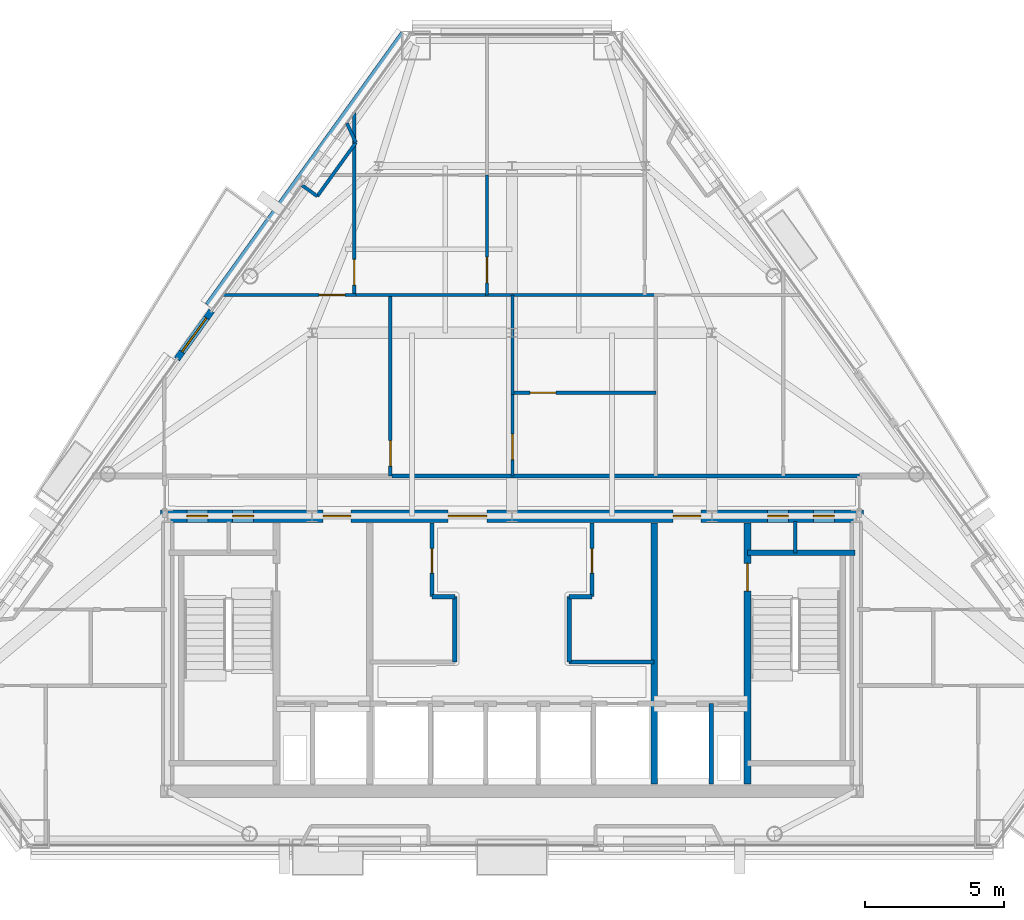
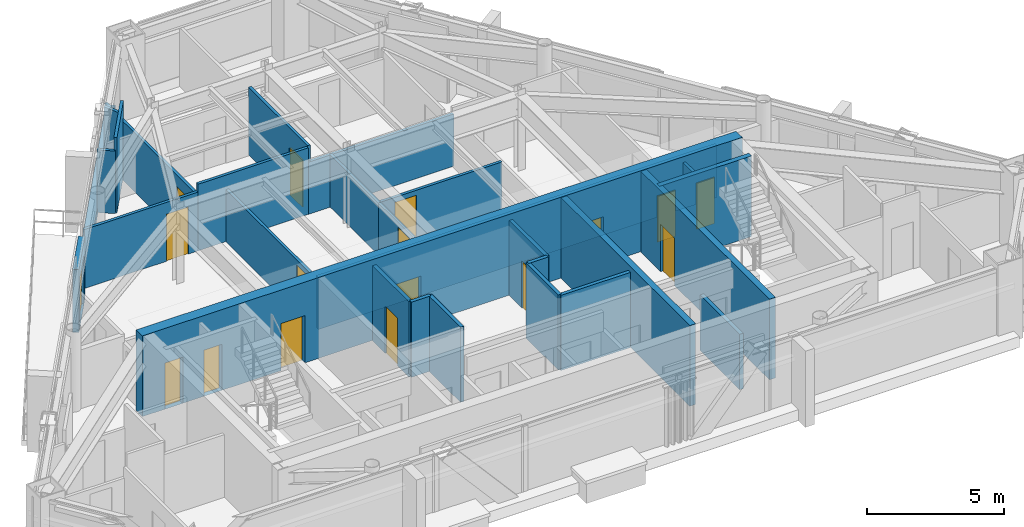
# One storey, part 8 of 12: 28 walls, 17 doors, 17 openings.
"""IFC4 building model written with IfcOpenShell, lengths in metres."""

from ifc_helpers import new_model, si_unit, direction, frame, frame_2d, origin, place, context, subcontext, project, spatial, rectangle, extrude, material, layer, layer_set, type_object, element, fill, save


model = new_model("IFC4")

# Units and contexts
model_context = context("Model", 3, precision=1e-05, world=origin(), true_north=direction((0.0, 1.0)))
body_context = subcontext(model_context, "Body", "Model", "MODEL_VIEW")
ifc_project = project(units=[si_unit("LENGTHUNIT", "METRE"), si_unit("AREAUNIT", "SQUARE_METRE"), si_unit("VOLUMEUNIT", "CUBIC_METRE"), si_unit("PLANEANGLEUNIT", "RADIAN"), si_unit("MASSUNIT", "GRAM", prefix="KILO")], contexts=[model_context])

# Site, building, storey
site_placement = place(None, origin())
site = spatial("IfcSite", under=ifc_project, at=site_placement, CompositionType="ELEMENT")
building_placement = place(site_placement, origin())
building = spatial("IfcBuilding", under=site, at=building_placement, Name="Talgorran Terracotta Tower", CompositionType="ELEMENT")
storey_placement = place(building_placement, frame((0.0, 0.0, 192.89990234375)))
storey = spatial("IfcBuildingStorey", under=building, at=storey_placement, Name="L50", CompositionType="ELEMENT", Elevation=192.89990234375)

# Wall, opening, door
ifc_material_1 = material(Name="Concrete C40/50", Category="concrete")
ifc_layer_1 = layer(ifc_material_1, 0.239990234375, Name="WT_BALCONY_SPAND")
ifc_layer_set_1 = layer_set([ifc_layer_1], Name="Concrete C40/50")
wall_type_1 = type_object("IfcWallType", Name="WT_BALCONY_SPAND", PredefinedType="STANDARD", material=ifc_layer_set_1)
wall_1_placement = place(storey_placement, frame((-10.81298828125, 3.19189453125, -0.014892578125), z_axis=(0.0, 0.0, 1.0), x_axis=(-0.583965085393, -0.811778774693, 0.0)))
wall_1 = element("IfcWall", 1, at=wall_1_placement, inside=storey, type_object=wall_type_1, Name="WL-L50-BALP-BAL-NW", PredefinedType="STANDARD", context=body_context, shape_type="SweptSolid", body=[
    extrude(rectangle(XDim=2.14013671875, YDim=0.239990234375, at=frame_2d((1.070068359375, 0.0))), origin(), (0.0, 0.0, 1.0), 2.806884765625),
])
opening_1_placement = place(wall_1_placement, frame((0.320068359375, 0.0, 0.014892578125)))
opening_1 = element("IfcOpeningElement", 2, at=opening_1_placement, cuts=wall_1, Name="Opening D-BAL-L50-2", PredefinedType="OPENING", context=body_context, shape_type="SweptSolid", body=[
    extrude(rectangle(XDim=1.506, YDim=2.203951171875, at=frame_2d((0.75, 1.10205078125))), frame((0.0, 0.1298828125, 0.0), z_axis=(0.0, -1.0, 0.0), x_axis=(1.0, 0.0, 0.0)), (0.0, 0.0, 1.0), 0.260009765625),
])
ifc_material_2 = material(Name="Thermally Broken Aluminium", Category="aluminium")
door_type_1 = type_object("IfcDoorType", Name="DT_BALC_1500", OperationType="SLIDING_TO_RIGHT", PredefinedType="DOOR", material=ifc_material_2)
door_1_placement = place(opening_1_placement, origin())
door_1 = element("IfcDoor", 3, at=door_1_placement, inside=storey, type_object=door_type_1, Name="DR-L50-BAL-BAL-NW", OperationType="SLIDING_TO_RIGHT", OverallHeight=2.199951171875, OverallWidth=1.5, PredefinedType="DOOR", context=body_context, shape_type="SweptSolid", body=[
    extrude(rectangle(XDim=1.5, YDim=2.199951171875, at=frame_2d((0.75, 1.10009765625))), frame((0.0, 0.02490234375, 0.0), z_axis=(0.0, -1.0, 0.0), x_axis=(1.0, 0.0, 0.0)), (0.0, 0.0, 1.0), 0.050048828125),
])
fill(opening_1, door_1)

# Wall
ifc_material_3 = material(Name="Concrete C50/60", Category="concrete")
ifc_layer_2 = layer(ifc_material_3, 0.199951171875, Name="WT_CORE_200")
ifc_layer_set_2 = layer_set([ifc_layer_2], Name="Concrete C50/60")
wall_type_2 = type_object("IfcWallType", Name="WT_CORE_200", PredefinedType="SOLIDWALL", material=ifc_layer_set_2)
wall_2_placement = place(storey_placement, frame((8.47998046875, -5.52001953125, 0.0), z_axis=(0.0, 0.0, 1.0), x_axis=(1.0, 0.0, 0.0)))
element("IfcWall", 4, at=wall_2_placement, inside=storey, type_object=wall_type_2, Name="WL-L50-CW-ST2-N", PredefinedType="SOLIDWALL", context=body_context, shape_type="SweptSolid", body=[
    extrude(rectangle(XDim=3.8701171875, YDim=0.199951171875, at=frame_2d((1.93505859375, 0.0))), origin(), (0.0, 0.0, 1.0), 3.60009765625),
])

# Wall, opening, door
ifc_layer_3 = layer(ifc_material_3, 0.25, Name="WT_CORE_250")
ifc_layer_set_3 = layer_set([ifc_layer_3], Name="Concrete C50/60")
wall_type_3 = type_object("IfcWallType", Name="WT_CORE_250", PredefinedType="SHEAR", material=ifc_layer_set_3)
wall_3_placement = place(storey_placement, frame((8.47998046875, -13.85009765625, 0.0), z_axis=(0.0, 0.0, 1.0), x_axis=(0.0, 1.0, 0.0)))
wall_3 = element("IfcWall", 5, at=wall_3_placement, inside=storey, type_object=wall_type_3, Name="WL-L50-CW-V-E1", PredefinedType="SHEAR", context=body_context, shape_type="SweptSolid", body=[
    extrude(rectangle(XDim=9.400146484375, YDim=0.25, at=frame_2d((4.7001953125, 0.0))), origin(), (0.0, 0.0, 1.0), 3.60009765625),
])
opening_2_placement = place(wall_3_placement, frame((6.949951171875, 0.0, 0.0)))
opening_2 = element("IfcOpeningElement", 6, at=opening_2_placement, cuts=wall_3, Name="Opening DR-ST02", PredefinedType="OPENING", context=body_context, shape_type="SweptSolid", body=[
    extrude(rectangle(XDim=1.006, YDim=2.10409765625, at=frame_2d((0.5, 1.052001953125))), frame((0.0, 0.135009765625, 0.0), z_axis=(0.0, -1.0, 0.0), x_axis=(1.0, 0.0, 0.0)), (0.0, 0.0, 1.0), 0.27001953125),
])
ifc_material_4 = material(Name="Fire-Rated Pressed Steel", Category="steel")
door_type_2 = type_object("IfcDoorType", Name="DT_FIRE_1000", OperationType="NOTDEFINED", PredefinedType="DOOR", material=ifc_material_4)
door_2_placement = place(opening_2_placement, origin())
door_2 = element("IfcDoor", 7, at=door_2_placement, inside=storey, type_object=door_type_2, Name="DR-ST02", OperationType="SINGLE_SWING_RIGHT", OverallHeight=2.10009765625, OverallWidth=1.0, PredefinedType="DOOR", context=body_context, shape_type="SweptSolid", body=[
    extrude(rectangle(XDim=1.0, YDim=2.10009765625, at=frame_2d((0.5, 1.050048828125))), frame((0.0, 0.02490234375, 0.0), z_axis=(0.0, -1.0, 0.0), x_axis=(1.0, 0.0, 0.0)), (0.0, 0.0, 1.0), 0.050048828125),
])
fill(opening_2, door_2)

# Wall
wall_4_placement = place(storey_placement, frame((5.1201171875, -13.85009765625, 0.0), z_axis=(0.0, 0.0, 1.0), x_axis=(0.0, 1.0, 0.0)))
element("IfcWall", 8, at=wall_4_placement, inside=storey, type_object=wall_type_3, Name="WL-L50-CW-V-E2", PredefinedType="SHEAR", context=body_context, shape_type="SweptSolid", body=[
    extrude(rectangle(XDim=9.400146484375, YDim=0.25, at=frame_2d((4.7001953125, 0.0))), origin(), (0.0, 0.0, 1.0), 3.60009765625),
])

# Wall, openings, doors
ifc_material_5 = material(Name="Concrete C65/80", Category="concrete")
ifc_layer_4 = layer(ifc_material_5, 0.449951171875, Name="WT_CORE_EXT")
ifc_layer_set_4 = layer_set([ifc_layer_4], Name="Concrete C65/80")
wall_type_4 = type_object("IfcWallType", Name="WT_CORE_EXT", PredefinedType="SHEAR", material=ifc_layer_set_4)
wall_5_placement = place(storey_placement, frame((-12.64990234375, -4.199951171875, 0.0), z_axis=(0.0, 0.0, 1.0), x_axis=(1.0, 0.0, 0.0)))
wall_5 = element("IfcWall", 9, at=wall_5_placement, inside=storey, type_object=wall_type_4, Name="WL-L50-CW-OUT-N", PredefinedType="SHEAR", context=body_context, shape_type="SweptSolid", body=[
    extrude(rectangle(XDim=25.2998046875, YDim=0.449951171875, at=frame_2d((12.64990234375, 0.0))), origin(), (0.0, 0.0, 1.0), 3.60009765625),
])
opening_3_placement = place(wall_5_placement, frame((0.949951171875, 0.0, 0.0)))
opening_3 = element("IfcOpeningElement", 10, at=opening_3_placement, cuts=wall_5, Name="Opening DR-CSN1", PredefinedType="OPENING", context=body_context, shape_type="SweptSolid", body=[
    extrude(rectangle(XDim=0.756, YDim=2.054048828125, at=frame_2d((0.375, 1.027099609375))), frame((0.0, 0.23486328125, 0.0), z_axis=(0.0, -1.0, 0.0), x_axis=(1.0, 0.0, 0.0)), (0.0, 0.0, 1.0), 0.469970703125),
])
opening_4_placement = place(wall_5_placement, frame((2.60009765625, 0.0, 0.0)))
opening_4 = element("IfcOpeningElement", 11, at=opening_4_placement, cuts=wall_5, Name="Opening DR-CSN2", PredefinedType="OPENING", context=body_context, shape_type="SweptSolid", body=[
    extrude(rectangle(XDim=0.756, YDim=2.054048828125, at=frame_2d((0.375, 1.027099609375))), frame((0.0, 0.23486328125, 0.0), z_axis=(0.0, -1.0, 0.0), x_axis=(1.0, 0.0, 0.0)), (0.0, 0.0, 1.0), 0.469970703125),
])
opening_5_placement = place(wall_5_placement, frame((21.85009765625, 0.0, 0.0)))
opening_5 = element("IfcOpeningElement", 12, at=opening_5_placement, cuts=wall_5, Name="Opening DR-CSN3", PredefinedType="OPENING", context=body_context, shape_type="SweptSolid", body=[
    extrude(rectangle(XDim=0.756, YDim=2.054048828125, at=frame_2d((0.375, 1.027099609375))), frame((0.0, 0.23486328125, 0.0), z_axis=(0.0, -1.0, 0.0), x_axis=(1.0, 0.0, 0.0)), (0.0, 0.0, 1.0), 0.469970703125),
])
opening_6_placement = place(wall_5_placement, frame((23.5, 0.0, 0.0)))
opening_6 = element("IfcOpeningElement", 13, at=opening_6_placement, cuts=wall_5, Name="Opening DR-CSN4", PredefinedType="OPENING", context=body_context, shape_type="SweptSolid", body=[
    extrude(rectangle(XDim=0.756, YDim=2.054048828125, at=frame_2d((0.375, 1.027099609375))), frame((0.0, 0.23486328125, 0.0), z_axis=(0.0, -1.0, 0.0), x_axis=(1.0, 0.0, 0.0)), (0.0, 0.0, 1.0), 0.469970703125),
])
opening_7_placement = place(wall_5_placement, frame((5.85009765625, 0.0, 0.0)))
opening_7 = element("IfcOpeningElement", 14, at=opening_7_placement, cuts=wall_5, Name="Opening DR-FFLW-N", PredefinedType="OPENING", context=body_context, shape_type="SweptSolid", body=[
    extrude(rectangle(XDim=1.006, YDim=2.10409765625, at=frame_2d((0.5, 1.052001953125))), frame((0.0, 0.23486328125, 0.0), z_axis=(0.0, -1.0, 0.0), x_axis=(1.0, 0.0, 0.0)), (0.0, 0.0, 1.0), 0.469970703125),
])
opening_8_placement = place(wall_5_placement, frame((10.35009765625, 0.0, 0.0)))
opening_8 = element("IfcOpeningElement", 15, at=opening_8_placement, cuts=wall_5, Name="Opening DR-PLL-N", PredefinedType="OPENING", context=body_context, shape_type="SweptSolid", body=[
    extrude(rectangle(XDim=1.40590234375, YDim=2.15390234375, at=frame_2d((0.699951171875, 1.076904296875))), frame((0.0, 0.23486328125, 0.0), z_axis=(0.0, -1.0, 0.0), x_axis=(1.0, 0.0, 0.0)), (0.0, 0.0, 1.0), 0.469970703125),
])
opening_9_placement = place(wall_5_placement, frame((18.449951171875, 0.0, 0.0)))
opening_9 = element("IfcOpeningElement", 16, at=opening_9_placement, cuts=wall_5, Name="Opening DR-FFLE-N", PredefinedType="OPENING", context=body_context, shape_type="SweptSolid", body=[
    extrude(rectangle(XDim=1.006, YDim=2.10409765625, at=frame_2d((0.5, 1.052001953125))), frame((0.0, 0.23486328125, 0.0), z_axis=(0.0, -1.0, 0.0), x_axis=(1.0, 0.0, 0.0)), (0.0, 0.0, 1.0), 0.469970703125),
])
ifc_material_6 = material(Name="Acoustic Glazed Timber", Category="wood")
door_type_3 = type_object("IfcDoorType", Name="DT_DOUBLE_1400", OperationType="DOUBLE_DOOR_SINGLE_SWING", PredefinedType="DOOR", material=ifc_material_6)
door_3_placement = place(opening_8_placement, origin())
door_3 = element("IfcDoor", 17, at=door_3_placement, inside=storey, type_object=door_type_3, Name="DR-PLL-N", OperationType="DOUBLE_DOOR_SINGLE_SWING", OverallHeight=2.14990234375, OverallWidth=1.39990234375, PredefinedType="DOOR", context=body_context, shape_type="SweptSolid", body=[
    extrude(rectangle(XDim=1.39990234375, YDim=2.14990234375, at=frame_2d((0.699951171875, 1.074951171875))), frame((0.0, 0.02490234375, 0.0), z_axis=(0.0, -1.0, 0.0), x_axis=(1.0, 0.0, 0.0)), (0.0, 0.0, 1.0), 0.050048828125),
])
fill(opening_8, door_3)
door_4_placement = place(opening_7_placement, origin())
door_4 = element("IfcDoor", 18, at=door_4_placement, inside=storey, type_object=door_type_2, Name="DR-FFLW-N", OperationType="SINGLE_SWING_LEFT", OverallHeight=2.10009765625, OverallWidth=1.0, PredefinedType="DOOR", context=body_context, shape_type="SweptSolid", body=[
    extrude(rectangle(XDim=1.0, YDim=2.10009765625, at=frame_2d((0.5, 1.050048828125))), frame((0.0, 0.02490234375, 0.0), z_axis=(0.0, -1.0, 0.0), x_axis=(1.0, 0.0, 0.0)), (0.0, 0.0, 1.0), 0.050048828125),
])
fill(opening_7, door_4)
door_5_placement = place(opening_9_placement, origin())
door_5 = element("IfcDoor", 19, at=door_5_placement, inside=storey, type_object=door_type_2, Name="DR-FFLE-N", OperationType="SINGLE_SWING_RIGHT", OverallHeight=2.10009765625, OverallWidth=1.0, PredefinedType="DOOR", context=body_context, shape_type="SweptSolid", body=[
    extrude(rectangle(XDim=1.0, YDim=2.10009765625, at=frame_2d((0.5, 1.050048828125))), frame((0.0, 0.02490234375, 0.0), z_axis=(0.0, -1.0, 0.0), x_axis=(1.0, 0.0, 0.0)), (0.0, 0.0, 1.0), 0.050048828125),
])
fill(opening_9, door_5)
door_type_4 = type_object("IfcDoorType", Name="DT_RISER_750", OperationType="NOTDEFINED", PredefinedType="DOOR", material=ifc_material_4)
door_6_placement = place(opening_3_placement, origin())
door_6 = element("IfcDoor", 20, at=door_6_placement, inside=storey, type_object=door_type_4, Name="DR-CSN1", OperationType="SINGLE_SWING_LEFT", OverallHeight=2.050048828125, OverallWidth=0.75, PredefinedType="DOOR", context=body_context, shape_type="SweptSolid", body=[
    extrude(rectangle(XDim=0.75, YDim=2.050048828125, at=frame_2d((0.375, 1.02490234375))), frame((0.0, 0.02490234375, 0.0), z_axis=(0.0, -1.0, 0.0), x_axis=(1.0, 0.0, 0.0)), (0.0, 0.0, 1.0), 0.050048828125),
])
fill(opening_3, door_6)
door_7_placement = place(opening_4_placement, origin())
door_7 = element("IfcDoor", 21, at=door_7_placement, inside=storey, type_object=door_type_4, Name="DR-CSN2", OperationType="SINGLE_SWING_RIGHT", OverallHeight=2.050048828125, OverallWidth=0.75, PredefinedType="DOOR", context=body_context, shape_type="SweptSolid", body=[
    extrude(rectangle(XDim=0.75, YDim=2.050048828125, at=frame_2d((0.375, 1.02490234375))), frame((0.0, 0.02490234375, 0.0), z_axis=(0.0, -1.0, 0.0), x_axis=(1.0, 0.0, 0.0)), (0.0, 0.0, 1.0), 0.050048828125),
])
fill(opening_4, door_7)
door_8_placement = place(opening_5_placement, origin())
door_8 = element("IfcDoor", 22, at=door_8_placement, inside=storey, type_object=door_type_4, Name="DR-CSN3", OperationType="SINGLE_SWING_LEFT", OverallHeight=2.050048828125, OverallWidth=0.75, PredefinedType="DOOR", context=body_context, shape_type="SweptSolid", body=[
    extrude(rectangle(XDim=0.75, YDim=2.050048828125, at=frame_2d((0.375, 1.02490234375))), frame((0.0, 0.02490234375, 0.0), z_axis=(0.0, -1.0, 0.0), x_axis=(1.0, 0.0, 0.0)), (0.0, 0.0, 1.0), 0.050048828125),
])
fill(opening_5, door_8)
door_9_placement = place(opening_6_placement, origin())
door_9 = element("IfcDoor", 23, at=door_9_placement, inside=storey, type_object=door_type_4, Name="DR-CSN4", OperationType="SINGLE_SWING_RIGHT", OverallHeight=2.050048828125, OverallWidth=0.75, PredefinedType="DOOR", context=body_context, shape_type="SweptSolid", body=[
    extrude(rectangle(XDim=0.75, YDim=2.050048828125, at=frame_2d((0.375, 1.02490234375))), frame((0.0, 0.02490234375, 0.0), z_axis=(0.0, -1.0, 0.0), x_axis=(1.0, 0.0, 0.0)), (0.0, 0.0, 1.0), 0.050048828125),
])
fill(opening_6, door_9)

# Walls
ifc_material_7 = material(Name="Fire-Rated Steel Stud Plasterboard", Category="steel")
ifc_layer_5 = layer(ifc_material_7, 0.14990234375, Name="WT_FIRE_150")
ifc_layer_set_5 = layer_set([ifc_layer_5], Name="Fire-Rated Steel Stud Plasterboard")
wall_type_5 = type_object("IfcWallType", Name="WT_FIRE_150", PredefinedType="PARTITIONING", material=ifc_layer_set_5)
wall_6_placement = place(storey_placement, frame((-2.06005859375, -9.449951171875, 0.0), z_axis=(0.0, 0.0, 1.0), x_axis=(0.0, 1.0, 0.0)))
element("IfcWall", 24, at=wall_6_placement, inside=storey, type_object=wall_type_5, Name="WL-L50-CW-V-W3S2", PredefinedType="PARTITIONING", context=body_context, shape_type="SweptSolid", body=[
    extrude(rectangle(XDim=2.349853515625, YDim=0.14990234375, at=frame_2d((1.1748046875, 0.0))), origin(), (0.0, 0.0, 1.0), 3.35009765625),
])
wall_7_placement = place(storey_placement, frame((-2.8798828125, -7.10009765625, 0.0), z_axis=(0.0, 0.0, 1.0), x_axis=(1.0, 0.0, 0.0)))
element("IfcWall", 25, at=wall_7_placement, inside=storey, type_object=wall_type_5, Name="WL-L50-CW-H-W3M2", PredefinedType="PARTITIONING", context=body_context, shape_type="SweptSolid", body=[
    extrude(rectangle(XDim=0.81982421875, YDim=0.14990234375, at=frame_2d((0.409912109375, 0.0))), origin(), (0.0, 0.0, 1.0), 3.35009765625),
])

# Wall, opening, door
wall_8_placement = place(storey_placement, frame((-2.8798828125, -7.10009765625, 0.0), z_axis=(0.0, 0.0, 1.0), x_axis=(0.0, 1.0, 0.0)))
wall_8 = element("IfcWall", 26, at=wall_8_placement, inside=storey, type_object=wall_type_5, Name="WL-L50-CW-V-W3N", PredefinedType="PARTITIONING", context=body_context, shape_type="SweptSolid", body=[
    extrude(rectangle(XDim=2.650146484375, YDim=0.14990234375, at=frame_2d((1.3251953125, 0.0))), origin(), (0.0, 0.0, 1.0), 3.35009765625),
])
opening_10_placement = place(wall_8_placement, frame((0.85009765625, 0.0, 0.0)))
opening_10 = element("IfcOpeningElement", 27, at=opening_10_placement, cuts=wall_8, Name="Opening DR-FRPLL-B", PredefinedType="OPENING", context=body_context, shape_type="SweptSolid", body=[
    extrude(rectangle(XDim=0.8858828125, YDim=2.10409765625, at=frame_2d((0.43994140625, 1.052001953125))), frame((0.0, 0.0849609375, 0.0), z_axis=(0.0, -1.0, 0.0), x_axis=(1.0, 0.0, 0.0)), (0.0, 0.0, 1.0), 0.169921875),
])
ifc_material_8 = material(Name="Solid-Core Painted Timber", Category="wood")
door_type_5 = type_object("IfcDoorType", Name="DT_INT_880", OperationType="NOTDEFINED", PredefinedType="DOOR", material=ifc_material_8)
door_10_placement = place(opening_10_placement, origin())
door_10 = element("IfcDoor", 28, at=door_10_placement, inside=storey, type_object=door_type_5, Name="DR-FRPLL-B", OperationType="SINGLE_SWING_LEFT", OverallHeight=2.10009765625, OverallWidth=0.8798828125, PredefinedType="DOOR", context=body_context, shape_type="SweptSolid", body=[
    extrude(rectangle(XDim=0.8798828125, YDim=2.10009765625, at=frame_2d((0.43994140625, 1.050048828125))), frame((0.0, 0.02490234375, 0.0), z_axis=(0.0, -1.0, 0.0), x_axis=(1.0, 0.0, 0.0)), (0.0, 0.0, 1.0), 0.050048828125),
])
fill(opening_10, door_10)

# Walls
wall_9_placement = place(storey_placement, frame((2.06005859375, -9.449951171875, 0.0), z_axis=(0.0, 0.0, 1.0), x_axis=(1.0, 0.0, 0.0)))
element("IfcWall", 29, at=wall_9_placement, inside=storey, type_object=wall_type_5, Name="WL-L50-CW-H-E4N", PredefinedType="PARTITIONING", context=body_context, shape_type="SweptSolid", body=[
    extrude(rectangle(XDim=3.06005859375, YDim=0.14990234375, at=frame_2d((1.530029296875, 0.0))), origin(), (0.0, 0.0, 1.0), 3.35009765625),
])
wall_10_placement = place(storey_placement, frame((2.06005859375, -9.449951171875, 0.0), z_axis=(0.0, 0.0, 1.0), x_axis=(0.0, 1.0, 0.0)))
element("IfcWall", 30, at=wall_10_placement, inside=storey, type_object=wall_type_5, Name="WL-L50-CW-V-E3S2", PredefinedType="PARTITIONING", context=body_context, shape_type="SweptSolid", body=[
    extrude(rectangle(XDim=2.349853515625, YDim=0.14990234375, at=frame_2d((1.1748046875, 0.0))), origin(), (0.0, 0.0, 1.0), 3.35009765625),
])
wall_11_placement = place(storey_placement, frame((2.06005859375, -7.10009765625, 0.0), z_axis=(0.0, 0.0, 1.0), x_axis=(1.0, 0.0, 0.0)))
element("IfcWall", 31, at=wall_11_placement, inside=storey, type_object=wall_type_5, Name="WL-L50-CW-H-E3M2", PredefinedType="PARTITIONING", context=body_context, shape_type="SweptSolid", body=[
    extrude(rectangle(XDim=0.81982421875, YDim=0.14990234375, at=frame_2d((0.409912109375, 0.0))), origin(), (0.0, 0.0, 1.0), 3.35009765625),
])

# Wall, opening, door
wall_12_placement = place(storey_placement, frame((2.8798828125, -7.10009765625, 0.0), z_axis=(0.0, 0.0, 1.0), x_axis=(0.0, 1.0, 0.0)))
wall_12 = element("IfcWall", 32, at=wall_12_placement, inside=storey, type_object=wall_type_5, Name="WL-L50-CW-V-E3N", PredefinedType="PARTITIONING", context=body_context, shape_type="SweptSolid", body=[
    extrude(rectangle(XDim=2.650146484375, YDim=0.14990234375, at=frame_2d((1.3251953125, 0.0))), origin(), (0.0, 0.0, 1.0), 3.35009765625),
])
opening_11_placement = place(wall_12_placement, frame((0.85009765625, 0.0, 0.0)))
opening_11 = element("IfcOpeningElement", 33, at=opening_11_placement, cuts=wall_12, Name="Opening DR-FRPLM-B", PredefinedType="OPENING", context=body_context, shape_type="SweptSolid", body=[
    extrude(rectangle(XDim=0.8858828125, YDim=2.10409765625, at=frame_2d((0.43994140625, 1.052001953125))), frame((0.0, 0.0849609375, 0.0), z_axis=(0.0, -1.0, 0.0), x_axis=(1.0, 0.0, 0.0)), (0.0, 0.0, 1.0), 0.169921875),
])
door_11_placement = place(opening_11_placement, origin())
door_11 = element("IfcDoor", 34, at=door_11_placement, inside=storey, type_object=door_type_5, Name="DR-FRPLM-B", OperationType="SINGLE_SWING_RIGHT", OverallHeight=2.10009765625, OverallWidth=0.8798828125, PredefinedType="DOOR", context=body_context, shape_type="SweptSolid", body=[
    extrude(rectangle(XDim=0.8798828125, YDim=2.10009765625, at=frame_2d((0.43994140625, 1.050048828125))), frame((0.0, 0.02490234375, 0.0), z_axis=(0.0, -1.0, 0.0), x_axis=(1.0, 0.0, 0.0)), (0.0, 0.0, 1.0), 0.050048828125),
])
fill(opening_11, door_11)

# Walls
wall_13_placement = place(storey_placement, frame((-4.318115234375, -2.760009765625, 0.0), z_axis=(0.0, 0.0, 1.0), x_axis=(1.0, 0.0, 0.0)))
element("IfcWall", 35, at=wall_13_placement, inside=storey, type_object=wall_type_5, Name="WL-L50-W-L50-R05", PredefinedType="PARTITIONING", context=body_context, shape_type="SweptSolid", body=[
    extrude(rectangle(XDim=16.818115234375, YDim=0.14990234375, at=frame_2d((8.4091796875, 0.0))), origin(), (0.0, 0.0, 1.0), 2.3251953125),
])
ifc_layer_6 = layer(ifc_material_1, 0.219970703125, Name="WT_PARAPET_RC")
ifc_layer_set_6 = layer_set([ifc_layer_6], Name="Concrete C40/50")
wall_type_6 = type_object("IfcWallType", Name="WT_PARAPET_RC", PredefinedType="PARAPET", material=ifc_layer_set_6)
wall_14_placement = place(storey_placement, frame((-3.857177734375, 13.134765625, -0.199951171875), z_axis=(0.0, 0.0, 1.0), x_axis=(-0.583988536217, -0.811761904481, 0.0)))
element("IfcWall", 36, at=wall_14_placement, inside=storey, type_object=wall_type_6, Name="L50 Striped Portal Precast Cornice F60", PredefinedType="PARAPET", context=body_context, shape_type="SweptSolid", body=[
    extrude(rectangle(XDim=12.04345703125, YDim=0.360107421875, at=frame_2d((6.021728515625, 0.0))), origin(), (0.0, 0.0, 1.0), 0.380126953125),
])
ifc_material_9 = material(Name="Insulated Steel Stud Plasterboard", Category="steel")
ifc_layer_7 = layer(ifc_material_9, 0.1201171875, Name="WT_PART_120")
ifc_layer_set_7 = layer_set([ifc_layer_7], Name="Insulated Steel Stud Plasterboard")
wall_type_7 = type_object("IfcWallType", Name="WT_PART_120", PredefinedType="PARTITIONING", material=ifc_layer_set_7)
wall_15_placement = place(storey_placement, frame((10.199951171875, -5.52001953125, 0.0), z_axis=(0.0, 0.0, 1.0), x_axis=(0.0, 1.0, 0.0)))
element("IfcWall", 37, at=wall_15_placement, inside=storey, type_object=wall_type_7, Name="WL-L50-CW-CSE-DIV", PredefinedType="PARTITIONING", context=body_context, shape_type="SweptSolid", body=[
    extrude(rectangle(XDim=1.1201171875, YDim=0.1201171875, at=frame_2d((0.56005859375, 0.0))), origin(), (0.0, 0.0, 1.0), 3.35009765625),
])

# Wall, opening, door
wall_16_placement = place(storey_placement, frame((-5.679931640625, 3.760009765625, 0.0), z_axis=(0.0, 0.0, 1.0), x_axis=(0.0, 1.0, 0.0)))
wall_16 = element("IfcWall", 38, at=wall_16_placement, inside=storey, type_object=wall_type_7, Name="WL-L50-W-L50-R37", PredefinedType="PARTITIONING", context=body_context, shape_type="SweptSolid", body=[
    extrude(rectangle(XDim=6.56689453125, YDim=0.1201171875, at=frame_2d((3.283447265625, 0.0))), origin(), (0.0, 0.0, 1.0), 2.625),
])
opening_12_placement = place(wall_16_placement, frame((0.3583984375, 0.0, 0.0)))
opening_12 = element("IfcOpeningElement", 39, at=opening_12_placement, cuts=wall_16, Name="Opening DR-L50-R17", PredefinedType="OPENING", context=body_context, shape_type="SweptSolid", body=[
    extrude(rectangle(XDim=0.925921875, YDim=2.10409765625, at=frame_2d((0.4599609375, 1.052001953125))), frame((0.0, 0.070068359375, 0.0), z_axis=(0.0, -1.0, 0.0), x_axis=(1.0, 0.0, 0.0)), (0.0, 0.0, 1.0), 0.14013671875),
])
door_type_6 = type_object("IfcDoorType", Name="DT_INT_920", OperationType="NOTDEFINED", PredefinedType="DOOR", material=ifc_material_8)
door_12_placement = place(opening_12_placement, origin())
door_12 = element("IfcDoor", 40, at=door_12_placement, inside=storey, type_object=door_type_6, Name="DR-L50-R17", OperationType="SINGLE_SWING_LEFT", OverallHeight=2.10009765625, OverallWidth=0.919921875, PredefinedType="DOOR", context=body_context, shape_type="SweptSolid", body=[
    extrude(rectangle(XDim=0.919921875, YDim=2.10009765625, at=frame_2d((0.4599609375, 1.050048828125))), frame((0.0, 0.02490234375, 0.0), z_axis=(0.0, -1.0, 0.0), x_axis=(1.0, 0.0, 0.0)), (0.0, 0.0, 1.0), 0.050048828125),
])
fill(opening_12, door_12)

wall_17_placement = place(storey_placement, frame((-4.3798828125, -2.760009765625, 0.0), z_axis=(0.0, 0.0, 1.0), x_axis=(0.0, 1.0, 0.0)))
wall_17 = element("IfcWall", 41, at=wall_17_placement, inside=storey, type_object=wall_type_7, Name="WL-L50-W-L50-R25", PredefinedType="PARTITIONING", context=body_context, shape_type="SweptSolid", body=[
    extrude(rectangle(XDim=6.52001953125, YDim=0.1201171875, at=frame_2d((3.260009765625, 0.0))), origin(), (0.0, 0.0, 1.0), 2.3251953125),
])
opening_13_placement = place(wall_17_placement, frame((0.360107421875, 0.0, 0.0)))
opening_13 = element("IfcOpeningElement", 42, at=opening_13_placement, cuts=wall_17, Name="Opening DR-L50-R13", PredefinedType="OPENING", context=body_context, shape_type="SweptSolid", body=[
    extrude(rectangle(XDim=0.925921875, YDim=2.10409765625, at=frame_2d((0.4599609375, 1.052001953125))), frame((0.0, 0.070068359375, 0.0), z_axis=(0.0, -1.0, 0.0), x_axis=(1.0, 0.0, 0.0)), (0.0, 0.0, 1.0), 0.14013671875),
])
door_13_placement = place(opening_13_placement, origin())
door_13 = element("IfcDoor", 43, at=door_13_placement, inside=storey, type_object=door_type_6, Name="DR-L50-R13", OperationType="SINGLE_SWING_LEFT", OverallHeight=2.10009765625, OverallWidth=0.919921875, PredefinedType="DOOR", context=body_context, shape_type="SweptSolid", body=[
    extrude(rectangle(XDim=0.919921875, YDim=2.10009765625, at=frame_2d((0.4599609375, 1.050048828125))), frame((0.0, 0.02490234375, 0.0), z_axis=(0.0, -1.0, 0.0), x_axis=(1.0, 0.0, 0.0)), (0.0, 0.0, 1.0), 0.050048828125),
])
fill(opening_13, door_13)

wall_18_placement = place(storey_placement, frame((0.02001953125, 0.239990234375, 0.0), z_axis=(0.0, 0.0, 1.0), x_axis=(1.0, 0.0, 0.0)))
wall_18 = element("IfcWall", 44, at=wall_18_placement, inside=storey, type_object=wall_type_7, Name="WL-L50-W-L50-R32", PredefinedType="PARTITIONING", context=body_context, shape_type="SweptSolid", body=[
    extrude(rectangle(XDim=5.159912109375, YDim=0.1201171875, at=frame_2d((2.580078125, 0.0))), origin(), (0.0, 0.0, 1.0), 2.3251953125),
])
opening_14_placement = place(wall_18_placement, frame((0.635009765625, 0.0, 0.0)))
opening_14 = element("IfcOpeningElement", 45, at=opening_14_placement, cuts=wall_18, Name="Opening DR-L50-R15", PredefinedType="OPENING", context=body_context, shape_type="SweptSolid", body=[
    extrude(rectangle(XDim=0.925921875, YDim=2.10409765625, at=frame_2d((0.4599609375, 1.052001953125))), frame((0.0, 0.070068359375, 0.0), z_axis=(0.0, -1.0, 0.0), x_axis=(1.0, 0.0, 0.0)), (0.0, 0.0, 1.0), 0.14013671875),
])
door_14_placement = place(opening_14_placement, origin())
door_14 = element("IfcDoor", 46, at=door_14_placement, inside=storey, type_object=door_type_6, Name="DR-L50-R15", OperationType="SINGLE_SWING_LEFT", OverallHeight=2.10009765625, OverallWidth=0.919921875, PredefinedType="DOOR", context=body_context, shape_type="SweptSolid", body=[
    extrude(rectangle(XDim=0.919921875, YDim=2.10009765625, at=frame_2d((0.4599609375, 1.050048828125))), frame((0.0, 0.02490234375, 0.0), z_axis=(0.0, -1.0, 0.0), x_axis=(1.0, 0.0, 0.0)), (0.0, 0.0, 1.0), 0.050048828125),
])
fill(opening_14, door_14)

# Wall
wall_19_placement = place(storey_placement, frame((-0.9599609375, 3.760009765625, 0.0), z_axis=(0.0, 0.0, 1.0), x_axis=(1.0, 0.0, 0.0)))
element("IfcWall", 47, at=wall_19_placement, inside=storey, type_object=wall_type_7, Name="WL-L50-W-L50-R34", PredefinedType="PARTITIONING", context=body_context, shape_type="SweptSolid", body=[
    extrude(rectangle(XDim=6.139892578125, YDim=0.1201171875, at=frame_2d((3.06982421875, 0.0))), origin(), (0.0, 0.0, 1.0), 2.3251953125),
])

# Wall, opening, door
wall_20_placement = place(storey_placement, frame((-10.404296875, 3.760009765625, 0.0), z_axis=(0.0, 0.0, 1.0), x_axis=(1.0, 0.0, 0.0)))
wall_20 = element("IfcWall", 48, at=wall_20_placement, inside=storey, type_object=wall_type_7, Name="WL-L50-W-L50-R26", PredefinedType="PARTITIONING", context=body_context, shape_type="SweptSolid", body=[
    extrude(rectangle(XDim=4.7841796875, YDim=0.1201171875, at=frame_2d((2.39208984375, 0.0))), origin(), (0.0, 0.0, 1.0), 2.625),
])
opening_15_placement = place(wall_20_placement, frame((3.466796875, 0.0, 0.0)))
opening_15 = element("IfcOpeningElement", 49, at=opening_15_placement, cuts=wall_20, Name="Opening DR-L50-R16", PredefinedType="OPENING", context=body_context, shape_type="SweptSolid", body=[
    extrude(rectangle(XDim=0.925921875, YDim=2.10409765625, at=frame_2d((0.4599609375, 1.052001953125))), frame((0.0, 0.070068359375, 0.0), z_axis=(0.0, -1.0, 0.0), x_axis=(1.0, 0.0, 0.0)), (0.0, 0.0, 1.0), 0.14013671875),
])
door_15_placement = place(opening_15_placement, origin())
door_15 = element("IfcDoor", 50, at=door_15_placement, inside=storey, type_object=door_type_6, Name="DR-L50-R16", OperationType="SINGLE_SWING_RIGHT", OverallHeight=2.10009765625, OverallWidth=0.919921875, PredefinedType="DOOR", context=body_context, shape_type="SweptSolid", body=[
    extrude(rectangle(XDim=0.919921875, YDim=2.10009765625, at=frame_2d((0.4599609375, 1.050048828125))), frame((0.0, 0.02490234375, 0.0), z_axis=(0.0, -1.0, 0.0), x_axis=(1.0, 0.0, 0.0)), (0.0, 0.0, 1.0), 0.050048828125),
])
fill(opening_15, door_15)

wall_21_placement = place(storey_placement, frame((-0.89990234375, 3.760009765625, 0.0), z_axis=(0.0, 0.0, 1.0), x_axis=(0.0, 1.0, 0.0)))
wall_21 = element("IfcWall", 51, at=wall_21_placement, inside=storey, type_object=wall_type_7, Name="WL-L50-W-L50-R40", PredefinedType="PARTITIONING", context=body_context, shape_type="SweptSolid", body=[
    extrude(rectangle(XDim=4.320068359375, YDim=0.1201171875, at=frame_2d((2.16015625, 0.0))), origin(), (0.0, 0.0, 1.0), 3.02099609375),
])
opening_16_placement = place(wall_21_placement, frame((0.43603515625, 0.0, 0.0)))
opening_16 = element("IfcOpeningElement", 52, at=opening_16_placement, cuts=wall_21, Name="Opening DR-L50-R19", PredefinedType="OPENING", context=body_context, shape_type="SweptSolid", body=[
    extrude(rectangle(XDim=0.925921875, YDim=2.10409765625, at=frame_2d((0.4599609375, 1.052001953125))), frame((0.0, 0.070068359375, 0.0), z_axis=(0.0, -1.0, 0.0), x_axis=(1.0, 0.0, 0.0)), (0.0, 0.0, 1.0), 0.14013671875),
])
door_16_placement = place(opening_16_placement, origin())
door_16 = element("IfcDoor", 53, at=door_16_placement, inside=storey, type_object=door_type_6, Name="DR-L50-R19", OperationType="SINGLE_SWING_LEFT", OverallHeight=2.10009765625, OverallWidth=0.919921875, PredefinedType="DOOR", context=body_context, shape_type="SweptSolid", body=[
    extrude(rectangle(XDim=0.919921875, YDim=2.10009765625, at=frame_2d((0.4599609375, 1.050048828125))), frame((0.0, 0.02490234375, 0.0), z_axis=(0.0, -1.0, 0.0), x_axis=(1.0, 0.0, 0.0)), (0.0, 0.0, 1.0), 0.050048828125),
])
fill(opening_16, door_16)

# Walls
wall_22_placement = place(storey_placement, frame((0.02001953125, 0.179931640625, 0.0), z_axis=(0.0, 0.0, 1.0), x_axis=(0.0, 1.0, 0.0)))
element("IfcWall", 54, at=wall_22_placement, inside=storey, type_object=wall_type_7, Name="WL-L50-W-L50-R29", PredefinedType="PARTITIONING", context=body_context, shape_type="SweptSolid", body=[
    extrude(rectangle(XDim=3.580078125, YDim=0.1201171875, at=frame_2d((1.7900390625, 0.0))), origin(), (0.0, 0.0, 1.0), 2.3251953125),
])
wall_23_placement = place(storey_placement, frame((-5.617919921875, 3.760009765625, 0.0), z_axis=(0.0, 0.0, 1.0), x_axis=(1.0, 0.0, 0.0)))
element("IfcWall", 55, at=wall_23_placement, inside=storey, type_object=wall_type_7, Name="WL-L50-W-L50-R30", PredefinedType="PARTITIONING", context=body_context, shape_type="SweptSolid", body=[
    extrude(rectangle(XDim=4.656005859375, YDim=0.1201171875, at=frame_2d((2.328125, 0.0))), origin(), (0.0, 0.0, 1.0), 2.969482421875),
])

# Wall, opening, door
wall_24_placement = place(storey_placement, frame((0.02001953125, -2.760009765625, 0.0), z_axis=(0.0, 0.0, 1.0), x_axis=(0.0, 1.0, 0.0)))
wall_24 = element("IfcWall", 56, at=wall_24_placement, inside=storey, type_object=wall_type_7, Name="WL-L50-W-L50-R28", PredefinedType="PARTITIONING", context=body_context, shape_type="SweptSolid", body=[
    extrude(rectangle(XDim=2.93798828125, YDim=0.1201171875, at=frame_2d((1.468994140625, 0.0))), origin(), (0.0, 0.0, 1.0), 2.3251953125),
])
opening_17_placement = place(wall_24_placement, frame((0.594970703125, 0.0, 0.0)))
opening_17 = element("IfcOpeningElement", 57, at=opening_17_placement, cuts=wall_24, Name="Opening DR-L50-R14", PredefinedType="OPENING", context=body_context, shape_type="SweptSolid", body=[
    extrude(rectangle(XDim=0.925921875, YDim=2.10409765625, at=frame_2d((0.4599609375, 1.052001953125))), frame((0.0, 0.070068359375, 0.0), z_axis=(0.0, -1.0, 0.0), x_axis=(1.0, 0.0, 0.0)), (0.0, 0.0, 1.0), 0.14013671875),
])
door_17_placement = place(opening_17_placement, origin())
door_17 = element("IfcDoor", 58, at=door_17_placement, inside=storey, type_object=door_type_6, Name="DR-L50-R14", OperationType="SINGLE_SWING_RIGHT", OverallHeight=2.10009765625, OverallWidth=0.919921875, PredefinedType="DOOR", context=body_context, shape_type="SweptSolid", body=[
    extrude(rectangle(XDim=0.919921875, YDim=2.10009765625, at=frame_2d((0.4599609375, 1.050048828125))), frame((0.0, 0.02490234375, 0.0), z_axis=(0.0, -1.0, 0.0), x_axis=(1.0, 0.0, 0.0)), (0.0, 0.0, 1.0), 0.050048828125),
])
fill(opening_17, door_17)

# Walls
wall_25_placement = place(storey_placement, frame((-5.6201171875, 9.24560546875, 0.0), z_axis=(0.0, 0.0, 1.0), x_axis=(-0.583982880723, -0.811765973063, 0.0)))
element("IfcWall", 59, at=wall_25_placement, inside=storey, type_object=wall_type_7, Name="WL-L50-BW-L50-15", PredefinedType="PARTITIONING", context=body_context, shape_type="SweptSolid", body=[
    extrude(rectangle(XDim=2.37841796875, YDim=0.1201171875, at=frame_2d((1.189208984375, 0.0))), origin(), (0.0, 0.0, 1.0), 3.35009765625),
])
wall_26_placement = place(storey_placement, frame((-5.942626953125, 9.944580078125, 0.0), z_axis=(0.0, 0.0, 1.0), x_axis=(0.418957614544, -0.9080057914, 0.0)))
element("IfcWall", 60, at=wall_26_placement, inside=storey, type_object=wall_type_7, Name="WL-L50-BW-L50-14", PredefinedType="PARTITIONING", context=body_context, shape_type="SweptSolid", body=[
    extrude(rectangle(XDim=0.769775390625, YDim=0.1201171875, at=frame_2d((0.384765625, 0.0))), origin(), (0.0, 0.0, 1.0), 2.7919921875),
])
wall_27_placement = place(storey_placement, frame((-7.009033203125, 7.31494140625, 0.0), z_axis=(0.0, 0.0, 1.0), x_axis=(-0.811734696256, 0.584026354622, 0.0)))
element("IfcWall", 61, at=wall_27_placement, inside=storey, type_object=wall_type_7, Name="WL-L50-BW-L50-16", PredefinedType="PARTITIONING", context=body_context, shape_type="SweptSolid", body=[
    extrude(rectangle(XDim=0.670166015625, YDim=0.1201171875, at=frame_2d((0.3349609375, 0.0))), origin(), (0.0, 0.0, 1.0), 2.7919921875),
])
ifc_material_10 = material(Name="Fire-Rated Shaftwall")
ifc_layer_8 = layer(ifc_material_10, 0.159912109375, Name="WT_PART_150")
ifc_layer_set_8 = layer_set([ifc_layer_8], Name="Fire-Rated Shaftwall")
wall_type_8 = type_object("IfcWallType", Name="WT_PART_150", PredefinedType="PARTITIONING", material=ifc_layer_set_8)
wall_28_placement = place(storey_placement, frame((7.179931640625, -13.85009765625, 0.0), z_axis=(0.0, 0.0, 1.0), x_axis=(0.0, 1.0, 0.0)))
element("IfcWall", 62, at=wall_28_placement, inside=storey, type_object=wall_type_8, Name="WL-L50-CW-RSE", PredefinedType="PARTITIONING", context=body_context, shape_type="SweptSolid", body=[
    extrude(rectangle(XDim=2.900146484375, YDim=0.159912109375, at=frame_2d((1.4501953125, 0.0))), origin(), (0.0, 0.0, 1.0), 2.47509765625),
])

save(model, "model.ifc")
